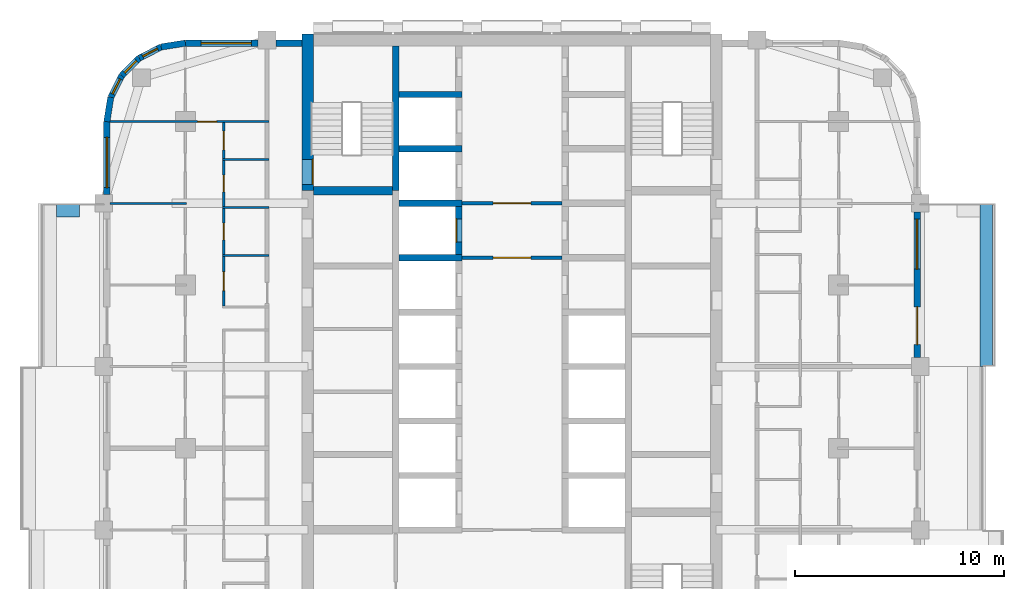
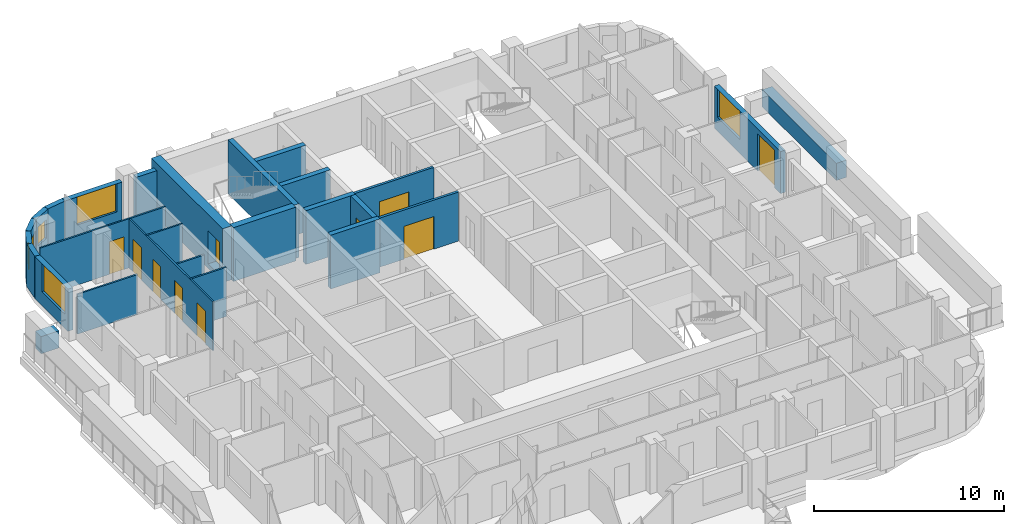
# One storey, part 8 of 14: 27 walls, 10 doors, 6 windows, 16 openings.
"""IFC4 building model written with IfcOpenShell, lengths in metres."""

from ifc_helpers import new_model, si_unit, direction, frame, frame_2d, origin, place, context, subcontext, project, spatial, rectangle, extrude, material, layer, layer_set, type_object, element, fill, save


model = new_model("IFC4")

# Units and contexts
model_context = context("Model", 3, precision=1e-05, world=origin(), true_north=direction((0.0, 1.0)))
body_context = subcontext(model_context, "Body", "Model", "MODEL_VIEW")
ifc_project = project(units=[si_unit("LENGTHUNIT", "METRE"), si_unit("AREAUNIT", "SQUARE_METRE"), si_unit("VOLUMEUNIT", "CUBIC_METRE"), si_unit("PLANEANGLEUNIT", "RADIAN"), si_unit("MASSUNIT", "GRAM", prefix="KILO")], contexts=[model_context])

# Site, building, storey
site_placement = place(None, origin())
site = spatial("IfcSite", under=ifc_project, at=site_placement, CompositionType="ELEMENT")
building_placement = place(site_placement, origin())
building = spatial("IfcBuilding", under=site, at=building_placement, Name="Ludao Terraces", CompositionType="ELEMENT")
storey_placement = place(building_placement, frame((0.0, 0.0, 99.89990234375)))
storey = spatial("IfcBuildingStorey", under=building, at=storey_placement, Name="L27", CompositionType="ELEMENT", Elevation=99.89990234375)

# Wall, opening, door
ifc_material_1 = material(Name="Concrete C60", Category="concrete")
ifc_layer_1 = layer(ifc_material_1, 0.550048828125)
ifc_layer_set_1 = layer_set([ifc_layer_1], Name="Core wall 550 C60")
wall_type_1 = type_object("IfcWallType", Name="Core wall 550 C60", PredefinedType="SOLIDWALL", material=ifc_layer_set_1)
wall_1_placement = place(storey_placement, frame((75.25, 77.300048828125, -0.2998046875), z_axis=(0.0, 0.0, 1.0), x_axis=(0.0, 1.0, 0.0)))
wall_1 = element("IfcWall", 1, at=wall_1_placement, inside=storey, type_object=wall_type_1, Name="Core wall L27 outer-W-S1", PredefinedType="SOLIDWALL", context=body_context, shape_type="SweptSolid", body=[
    extrude(rectangle(XDim=7.474853515625, YDim=0.550048828125, at=frame_2d((3.7373046875, 0.0))), origin(), (0.0, 0.0, 1.0), 3.449951171875),
])
opening_1_placement = place(wall_1_placement, frame((0.300048828125, 0.0, 0.300048828125)))
opening_1 = element("IfcOpeningElement", 2, at=opening_1_placement, cuts=wall_1, Name="Opening R08-088", PredefinedType="OPENING", context=body_context, shape_type="SweptSolid", body=[
    extrude(rectangle(XDim=1.199951171875, YDim=2.10009765625, at=frame_2d((0.60009765625, 1.050048828125))), frame((0.0, 0.28515625, 0.0), z_axis=(0.0, -1.0, 0.0), x_axis=(1.0, 0.0, 0.0)), (0.0, 0.0, 1.0), 0.570068359375),
])
ifc_material_2 = material(Name="Steel Q235", Category="steel")
door_type_1 = type_object("IfcDoorType", Name="INT Stair door 1200", OperationType="DOUBLE_DOOR_SINGLE_SWING", PredefinedType="DOOR", material=ifc_material_2)
door_1_placement = place(opening_1_placement, origin())
door_1 = element("IfcDoor", 3, at=door_1_placement, inside=storey, type_object=door_type_1, Name="DOOR 088", OperationType="DOUBLE_DOOR_SINGLE_SWING", OverallHeight=2.10009765625, OverallWidth=1.199951171875, PredefinedType="DOOR", context=body_context, shape_type="SweptSolid", body=[
    extrude(rectangle(XDim=1.199951171875, YDim=2.10009765625, at=frame_2d((0.60009765625, 1.050048828125))), frame((0.0, -0.2099609375, 0.0), z_axis=(0.0, -1.0, 0.0), x_axis=(1.0, 0.0, 0.0)), (0.0, 0.0, 1.0), 0.050048828125),
])
fill(opening_1, door_1)

# Walls
ifc_material_3 = material(Name="Concrete C40", Category="concrete")
ifc_layer_2 = layer(ifc_material_3, 0.60009765625)
ifc_layer_set_2 = layer_set([ifc_layer_2], Name="ENV Planter trough 600")
wall_type_2 = type_object("IfcWallType", Name="ENV Planter trough 600", PredefinedType="USERDEFINED", material=ifc_layer_set_2)
wall_2_placement = place(storey_placement, frame((107.64990234375, 68.89990234375, 0.0), z_axis=(0.0, 0.0, 1.0), x_axis=(0.0, 1.0, 0.0)))
element("IfcWall", 4, at=wall_2_placement, inside=storey, type_object=wall_type_2, Name="PL-L27-E3", ObjectType="PLANTER", PredefinedType="USERDEFINED", context=body_context, shape_type="SweptSolid", body=[
    extrude(rectangle(XDim=7.800048828125, YDim=0.60009765625, at=frame_2d((3.89990234375, 0.0))), origin(), (0.0, 0.0, 1.0), 1.10009765625),
])
wall_3_placement = place(storey_placement, frame((63.25, 76.35009765625, 0.0), z_axis=(0.0, 0.0, 1.0), x_axis=(1.0, 0.0, 0.0)))
element("IfcWall", 5, at=wall_3_placement, inside=storey, type_object=wall_type_2, Name="PL-L27-W3-SB", ObjectType="PLANTER", PredefinedType="USERDEFINED", context=body_context, shape_type="SweptSolid", body=[
    extrude(rectangle(XDim=1.10009765625, YDim=0.60009765625, at=frame_2d((0.550048828125, 0.0))), origin(), (0.0, 0.0, 1.0), 1.10009765625),
])

# Wall, openings, door, window
ifc_material_4 = material(Name="Granite cladding", Category="masonry")
ifc_layer_3 = layer(ifc_material_4, 0.0400390625, Category="stone")
ifc_material_5 = material(Name="Mineral wool")
ifc_layer_4 = layer(ifc_material_5, 0.06005859375)
ifc_layer_5 = layer(ifc_material_3, 0.199951171875, Category="concrete")
ifc_layer_set_3 = layer_set([ifc_layer_3, ifc_layer_4, ifc_layer_5], Name="ENV Stone-clad wall 300")
wall_type_3 = type_object("IfcWallType", Name="ENV Stone-clad wall 300", PredefinedType="SOLIDWALL", material=ifc_layer_set_3)
wall_4_placement = place(storey_placement, frame((104.35009765625, 69.324951171875, 0.0), z_axis=(0.0, 0.0, 1.0), x_axis=(0.0, 1.0, 0.0)))
wall_4 = element("IfcWall", 6, at=wall_4_placement, inside=storey, type_object=wall_type_3, Name="EW-L27-E4", PredefinedType="SOLIDWALL", context=body_context, shape_type="SweptSolid", body=[
    extrude(rectangle(XDim=6.949951171875, YDim=0.300048828125, at=frame_2d((3.47509765625, 0.0))), origin(), (0.0, 0.0, 1.0), 2.7001953125),
])
opening_2_placement = place(wall_4_placement, frame((0.625, 0.0, 0.0)))
opening_2 = element("IfcOpeningElement", 7, at=opening_2_placement, cuts=wall_4, Name="Opening BD", PredefinedType="OPENING", context=body_context, shape_type="SweptSolid", body=[
    extrude(rectangle(XDim=1.800048828125, YDim=2.39990234375, at=frame_2d((0.89990234375, 1.199951171875))), frame((0.0, 0.16015625, 0.0), z_axis=(0.0, -1.0, 0.0), x_axis=(1.0, 0.0, 0.0)), (0.0, 0.0, 1.0), 0.320068359375),
])
opening_3_placement = place(wall_4_placement, frame((4.22509765625, 0.0, 0.89990234375)))
opening_3 = element("IfcOpeningElement", 8, at=opening_3_placement, cuts=wall_4, Name="Opening W1", PredefinedType="OPENING", context=body_context, shape_type="SweptSolid", body=[
    extrude(rectangle(XDim=2.39990234375, YDim=1.800048828125, at=frame_2d((1.199951171875, 0.89990234375))), frame((0.0, 0.16015625, 0.0), z_axis=(0.0, -1.0, 0.0), x_axis=(1.0, 0.0, 0.0)), (0.0, 0.0, 1.0), 0.320068359375),
])
ifc_material_6 = material(Name="Aluminium glazed door", Category="aluminium")
ifc_layer_6 = layer(ifc_material_6, 0.06005859375)
ifc_layer_set_4 = layer_set([ifc_layer_6], Name="ENV Balcony door BD 1800x2400")
door_type_2 = type_object("IfcDoorType", Name="ENV Balcony door BD 1800x2400", OperationType="DOUBLE_DOOR_SINGLE_SWING", PredefinedType="DOOR", material=ifc_layer_set_4)
door_2_placement = place(opening_2_placement, origin())
door_2 = element("IfcDoor", 9, at=door_2_placement, inside=storey, type_object=door_type_2, Name="BD-L27-E4-1", OperationType="DOUBLE_DOOR_SINGLE_SWING", OverallHeight=2.39990234375, OverallWidth=1.800048828125, PredefinedType="DOOR", context=body_context, shape_type="SweptSolid", body=[
    extrude(rectangle(XDim=1.800048828125, YDim=2.39990234375, at=frame_2d((0.89990234375, 1.199951171875))), frame((0.0, 0.02490234375, 0.0), z_axis=(0.0, -1.0, 0.0), x_axis=(1.0, 0.0, 0.0)), (0.0, 0.0, 1.0), 0.050048828125),
])
fill(opening_2, door_2)
ifc_material_7 = material(Name="Clear glass in aluminium frame", Category="aluminium")
ifc_layer_7 = layer(ifc_material_7, 0.06005859375)
ifc_layer_set_5 = layer_set([ifc_layer_7], Name="ENV Window W1 2400x1800")
window_type_1 = type_object("IfcWindowType", Name="ENV Window W1 2400x1800", PartitioningType="DOUBLE_PANEL_VERTICAL", PredefinedType="WINDOW", material=ifc_layer_set_5)
window_1_placement = place(opening_3_placement, origin())
window_1 = element("IfcWindow", 10, at=window_1_placement, inside=storey, type_object=window_type_1, Name="W-L27-E4-2", OverallHeight=1.800048828125, OverallWidth=2.39990234375, PartitioningType="DOUBLE_PANEL_VERTICAL", PredefinedType="WINDOW", context=body_context, shape_type="SweptSolid", body=[
    extrude(rectangle(XDim=2.39990234375, YDim=1.800048828125, at=frame_2d((1.199951171875, 0.89990234375))), frame((0.0, 0.030029296875, 0.0), z_axis=(0.0, -1.0, 0.0), x_axis=(1.0, 0.0, 0.0)), (0.0, 0.0, 1.0), 0.06005859375),
])
fill(opening_3, window_1)

# Wall, opening, window
wall_5_placement = place(storey_placement, frame((69.39990234375, 84.35009765625, 0.0), z_axis=(0.0, 0.0, 1.0), x_axis=(1.0, 0.0, 0.0)))
wall_5 = element("IfcWall", 11, at=wall_5_placement, inside=storey, type_object=wall_type_3, Name="EW-L27-N1", PredefinedType="SOLIDWALL", context=body_context, shape_type="SweptSolid", body=[
    extrude(rectangle(XDim=3.47509765625, YDim=0.300048828125, at=frame_2d((1.737548828125, 0.0))), origin(), (0.0, 0.0, 1.0), 2.7001953125),
])
opening_4_placement = place(wall_5_placement, frame((0.75, 0.0, 0.89990234375)))
opening_4 = element("IfcOpeningElement", 12, at=opening_4_placement, cuts=wall_5, Name="Opening W1", PredefinedType="OPENING", context=body_context, shape_type="SweptSolid", body=[
    extrude(rectangle(XDim=2.39990234375, YDim=1.800048828125, at=frame_2d((1.199951171875, 0.89990234375))), frame((0.0, 0.16015625, 0.0), z_axis=(0.0, -1.0, 0.0), x_axis=(1.0, 0.0, 0.0)), (0.0, 0.0, 1.0), 0.320068359375),
])
window_2_placement = place(opening_4_placement, origin())
window_2 = element("IfcWindow", 13, at=window_2_placement, inside=storey, type_object=window_type_1, Name="W-L27-N1-1", OverallHeight=1.800048828125, OverallWidth=2.39990234375, PartitioningType="DOUBLE_PANEL_VERTICAL", PredefinedType="WINDOW", context=body_context, shape_type="SweptSolid", body=[
    extrude(rectangle(XDim=2.39990234375, YDim=1.800048828125, at=frame_2d((1.199951171875, 0.89990234375))), frame((0.0, 0.030029296875, 0.0), z_axis=(0.0, -1.0, 0.0), x_axis=(1.0, 0.0, 0.0)), (0.0, 0.0, 1.0), 0.06005859375),
])
fill(opening_4, window_2)

# Wall
wall_6_placement = place(storey_placement, frame((73.72509765625, 84.35009765625, 0.0), z_axis=(0.0, 0.0, 1.0), x_axis=(1.0, 0.0, 0.0)))
element("IfcWall", 14, at=wall_6_placement, inside=storey, type_object=wall_type_3, Name="EW-L27-N2", PredefinedType="SOLIDWALL", context=body_context, shape_type="SweptSolid", body=[
    extrude(rectangle(XDim=1.25, YDim=0.300048828125, at=frame_2d((0.625, 0.0))), origin(), (0.0, 0.0, 1.0), 2.7001953125),
])

# Wall, opening, window
wall_7_placement = place(storey_placement, frame((65.64990234375, 77.125, 0.0), z_axis=(0.0, 0.0, 1.0), x_axis=(0.0, 1.0, 0.0)))
wall_7 = element("IfcWall", 15, at=wall_7_placement, inside=storey, type_object=wall_type_3, Name="EW-L27-W5", PredefinedType="SOLIDWALL", context=body_context, shape_type="SweptSolid", body=[
    extrude(rectangle(XDim=3.47509765625, YDim=0.300048828125, at=frame_2d((1.737548828125, 0.0))), origin(), (0.0, 0.0, 1.0), 2.7001953125),
])
opening_5_placement = place(wall_7_placement, frame((0.324951171875, 0.0, 0.89990234375)))
opening_5 = element("IfcOpeningElement", 16, at=opening_5_placement, cuts=wall_7, Name="Opening W1", PredefinedType="OPENING", context=body_context, shape_type="SweptSolid", body=[
    extrude(rectangle(XDim=2.39990234375, YDim=1.800048828125, at=frame_2d((1.199951171875, 0.89990234375))), frame((0.0, 0.16015625, 0.0), z_axis=(0.0, -1.0, 0.0), x_axis=(1.0, 0.0, 0.0)), (0.0, 0.0, 1.0), 0.320068359375),
])
window_3_placement = place(opening_5_placement, origin())
window_3 = element("IfcWindow", 17, at=window_3_placement, inside=storey, type_object=window_type_1, Name="W-L27-W5-1", OverallHeight=1.800048828125, OverallWidth=2.39990234375, PartitioningType="DOUBLE_PANEL_VERTICAL", PredefinedType="WINDOW", context=body_context, shape_type="SweptSolid", body=[
    extrude(rectangle(XDim=2.39990234375, YDim=1.800048828125, at=frame_2d((1.199951171875, 0.89990234375))), frame((0.0, 0.030029296875, 0.0), z_axis=(0.0, -1.0, 0.0), x_axis=(1.0, 0.0, 0.0)), (0.0, 0.0, 1.0), 0.06005859375),
])
fill(opening_5, window_3)

# Wall
wall_8_placement = place(storey_placement, frame((69.39990234375, 84.35009765625, 0.0), z_axis=(0.0, 0.0, 1.0), x_axis=(-0.987678452879, -0.156496880861, 0.0)))
element("IfcWall", 18, at=wall_8_placement, inside=storey, type_object=wall_type_3, Name="EW-L27-NW1", PredefinedType="SOLIDWALL", context=body_context, shape_type="SweptSolid", body=[
    extrude(rectangle(XDim=1.173095703125, YDim=0.300048828125, at=frame_2d((0.58642578125, 0.0))), origin(), (0.0, 0.0, 1.0), 2.7001953125),
])

# Wall, opening, window
wall_9_placement = place(storey_placement, frame((68.2412109375, 84.16650390625, 0.0), z_axis=(0.0, 0.0, 1.0), x_axis=(-0.890988677504, -0.454025524128, 0.0)))
wall_9 = element("IfcWall", 19, at=wall_9_placement, inside=storey, type_object=wall_type_3, Name="EW-L27-NW2", PredefinedType="SOLIDWALL", context=body_context, shape_type="SweptSolid", body=[
    extrude(rectangle(XDim=1.17333984375, YDim=0.300048828125, at=frame_2d((0.586669921875, 0.0))), origin(), (0.0, 0.0, 1.0), 2.7001953125),
])
opening_6_placement = place(wall_9_placement, frame((0.1865234375, 0.0, 0.89990234375)))
opening_6 = element("IfcOpeningElement", 20, at=opening_6_placement, cuts=wall_9, Name="Opening W3", PredefinedType="OPENING", context=body_context, shape_type="SweptSolid", body=[
    extrude(rectangle(XDim=0.800048828125, YDim=1.199951171875, at=frame_2d((0.39990234375, 0.60009765625))), frame((0.0, 0.16015625, 0.0), z_axis=(0.0, -1.0, 0.0), x_axis=(1.0, 0.0, 0.0)), (0.0, 0.0, 1.0), 0.320068359375),
])
ifc_layer_8 = layer(ifc_material_7, 0.06005859375)
ifc_layer_set_6 = layer_set([ifc_layer_8], Name="ENV Window W3 800x1200")
window_type_2 = type_object("IfcWindowType", Name="ENV Window W3 800x1200", PartitioningType="SINGLE_PANEL", PredefinedType="WINDOW", material=ifc_layer_set_6)
window_4_placement = place(opening_6_placement, origin())
window_4 = element("IfcWindow", 21, at=window_4_placement, inside=storey, type_object=window_type_2, Name="W-L27-NW2", OverallHeight=1.199951171875, OverallWidth=0.800048828125, PartitioningType="SINGLE_PANEL", PredefinedType="WINDOW", context=body_context, shape_type="SweptSolid", body=[
    extrude(rectangle(XDim=0.800048828125, YDim=1.199951171875, at=frame_2d((0.39990234375, 0.60009765625))), frame((0.0, 0.030029296875, 0.0), z_axis=(0.0, -1.0, 0.0), x_axis=(1.0, 0.0, 0.0)), (0.0, 0.0, 1.0), 0.06005859375),
])
fill(opening_6, window_4)

wall_10_placement = place(storey_placement, frame((67.19580078125, 83.6337890625, 0.0), z_axis=(0.0, 0.0, 1.0), x_axis=(-0.707106781187, -0.707106781187, 0.0)))
wall_10 = element("IfcWall", 22, at=wall_10_placement, inside=storey, type_object=wall_type_3, Name="EW-L27-NW3", PredefinedType="SOLIDWALL", context=body_context, shape_type="SweptSolid", body=[
    extrude(rectangle(XDim=1.173095703125, YDim=0.300048828125, at=frame_2d((0.58642578125, 0.0))), origin(), (0.0, 0.0, 1.0), 2.7001953125),
])
opening_7_placement = place(wall_10_placement, frame((0.1865234375, 0.0, 0.89990234375)))
opening_7 = element("IfcOpeningElement", 23, at=opening_7_placement, cuts=wall_10, Name="Opening W3", PredefinedType="OPENING", context=body_context, shape_type="SweptSolid", body=[
    extrude(rectangle(XDim=0.800048828125, YDim=1.199951171875, at=frame_2d((0.39990234375, 0.60009765625))), frame((0.0, 0.16015625, 0.0), z_axis=(0.0, -1.0, 0.0), x_axis=(1.0, 0.0, 0.0)), (0.0, 0.0, 1.0), 0.320068359375),
])
window_5_placement = place(opening_7_placement, origin())
window_5 = element("IfcWindow", 24, at=window_5_placement, inside=storey, type_object=window_type_2, Name="W-L27-NW3", OverallHeight=1.199951171875, OverallWidth=0.800048828125, PartitioningType="SINGLE_PANEL", PredefinedType="WINDOW", context=body_context, shape_type="SweptSolid", body=[
    extrude(rectangle(XDim=0.800048828125, YDim=1.199951171875, at=frame_2d((0.39990234375, 0.60009765625))), frame((0.0, 0.030029296875, 0.0), z_axis=(0.0, -1.0, 0.0), x_axis=(1.0, 0.0, 0.0)), (0.0, 0.0, 1.0), 0.06005859375),
])
fill(opening_7, window_5)

wall_11_placement = place(storey_placement, frame((66.3662109375, 82.80419921875, 0.0), z_axis=(0.0, 0.0, 1.0), x_axis=(-0.454025524128, -0.890988677504, 0.0)))
wall_11 = element("IfcWall", 25, at=wall_11_placement, inside=storey, type_object=wall_type_3, Name="EW-L27-NW4", PredefinedType="SOLIDWALL", context=body_context, shape_type="SweptSolid", body=[
    extrude(rectangle(XDim=1.17333984375, YDim=0.300048828125, at=frame_2d((0.586669921875, 0.0))), origin(), (0.0, 0.0, 1.0), 2.7001953125),
])
opening_8_placement = place(wall_11_placement, frame((0.1865234375, 0.0, 0.89990234375)))
opening_8 = element("IfcOpeningElement", 26, at=opening_8_placement, cuts=wall_11, Name="Opening W3", PredefinedType="OPENING", context=body_context, shape_type="SweptSolid", body=[
    extrude(rectangle(XDim=0.800048828125, YDim=1.199951171875, at=frame_2d((0.39990234375, 0.60009765625))), frame((0.0, 0.16015625, 0.0), z_axis=(0.0, -1.0, 0.0), x_axis=(1.0, 0.0, 0.0)), (0.0, 0.0, 1.0), 0.320068359375),
])
window_6_placement = place(opening_8_placement, origin())
window_6 = element("IfcWindow", 27, at=window_6_placement, inside=storey, type_object=window_type_2, Name="W-L27-NW4", OverallHeight=1.199951171875, OverallWidth=0.800048828125, PartitioningType="SINGLE_PANEL", PredefinedType="WINDOW", context=body_context, shape_type="SweptSolid", body=[
    extrude(rectangle(XDim=0.800048828125, YDim=1.199951171875, at=frame_2d((0.39990234375, 0.60009765625))), frame((0.0, 0.030029296875, 0.0), z_axis=(0.0, -1.0, 0.0), x_axis=(1.0, 0.0, 0.0)), (0.0, 0.0, 1.0), 0.06005859375),
])
fill(opening_8, window_6)

# Wall
wall_12_placement = place(storey_placement, frame((65.83349609375, 81.7587890625, 0.0), z_axis=(0.0, 0.0, 1.0), x_axis=(-0.156496880861, -0.987678452879, 0.0)))
element("IfcWall", 28, at=wall_12_placement, inside=storey, type_object=wall_type_3, Name="EW-L27-NW5", PredefinedType="SOLIDWALL", context=body_context, shape_type="SweptSolid", body=[
    extrude(rectangle(XDim=1.173095703125, YDim=0.300048828125, at=frame_2d((0.58642578125, 0.0))), origin(), (0.0, 0.0, 1.0), 2.7001953125),
])

# Wall, opening, door
ifc_material_8 = material(Name="Fire-rated gypsum plasterboard", Category="gypsum")
ifc_layer_9 = layer(ifc_material_8, 0.012451171875, Category="gypsum")
ifc_layer_10 = layer(ifc_material_5, 0.10009765625, Name="insulation")
ifc_layer_11 = layer(ifc_material_2, 0.02490234375, Name="stud")
ifc_layer_12 = layer(ifc_material_8, 0.012451171875, Category="gypsum")
ifc_layer_set_7 = layer_set([ifc_layer_9, ifc_layer_10, ifc_layer_11, ifc_layer_12], Name="INT Core partition 150")
wall_type_4 = type_object("IfcWallType", Name="INT Core partition 150", PredefinedType="PARTITIONING", material=ifc_layer_set_7)
wall_13_placement = place(storey_placement, frame((82.60009765625, 74.10009765625, 0.0), z_axis=(0.0, 0.0, 1.0), x_axis=(1.0, 0.0, 0.0)))
wall_13 = element("IfcWall", 29, at=wall_13_placement, inside=storey, type_object=wall_type_4, Name="PW-L27-PW038", PredefinedType="PARTITIONING", context=body_context, shape_type="SweptSolid", body=[
    extrude(rectangle(XDim=4.800048828125, YDim=0.14990234375, at=frame_2d((2.39990234375, 0.0))), origin(), (0.0, 0.0, 1.0), 3.150146484375),
])
opening_9_placement = place(wall_13_placement, frame((1.5, 0.0, 0.0)))
opening_9 = element("IfcOpeningElement", 30, at=opening_9_placement, cuts=wall_13, Name="Opening R08-074", PredefinedType="OPENING", context=body_context, shape_type="SweptSolid", body=[
    extrude(rectangle(XDim=1.800048828125, YDim=2.10009765625, at=frame_2d((0.89990234375, 1.050048828125))), frame((0.0, 0.0849609375, 0.0), z_axis=(0.0, -1.0, 0.0), x_axis=(1.0, 0.0, 0.0)), (0.0, 0.0, 1.0), 0.169921875),
])
door_type_3 = type_object("IfcDoorType", Name="INT Fire lobby door 1800", OperationType="DOUBLE_DOOR_SINGLE_SWING", PredefinedType="DOOR", material=ifc_material_2)
door_3_placement = place(opening_9_placement, origin())
door_3 = element("IfcDoor", 31, at=door_3_placement, inside=storey, type_object=door_type_3, Name="DOOR 074", OperationType="DOUBLE_DOOR_SINGLE_SWING", OverallHeight=2.10009765625, OverallWidth=1.800048828125, PredefinedType="DOOR", context=body_context, shape_type="SweptSolid", body=[
    extrude(rectangle(XDim=1.800048828125, YDim=2.10009765625, at=frame_2d((0.89990234375, 1.050048828125))), frame((0.0, 0.02490234375, 0.0), z_axis=(0.0, -1.0, 0.0), x_axis=(1.0, 0.0, 0.0)), (0.0, 0.0, 1.0), 0.050048828125),
])
fill(opening_9, door_3)

wall_14_placement = place(storey_placement, frame((82.60009765625, 76.699951171875, 0.0), z_axis=(0.0, 0.0, 1.0), x_axis=(1.0, 0.0, 0.0)))
wall_14 = element("IfcWall", 32, at=wall_14_placement, inside=storey, type_object=wall_type_4, Name="PW-L27-PW044", PredefinedType="PARTITIONING", context=body_context, shape_type="SweptSolid", body=[
    extrude(rectangle(XDim=4.800048828125, YDim=0.14990234375, at=frame_2d((2.39990234375, 0.0))), origin(), (0.0, 0.0, 1.0), 3.150146484375),
])
opening_10_placement = place(wall_14_placement, frame((1.5, 0.0, 0.0)))
opening_10 = element("IfcOpeningElement", 33, at=opening_10_placement, cuts=wall_14, Name="Opening R08-084", PredefinedType="OPENING", context=body_context, shape_type="SweptSolid", body=[
    extrude(rectangle(XDim=1.800048828125, YDim=2.10009765625, at=frame_2d((0.89990234375, 1.050048828125))), frame((0.0, 0.0849609375, 0.0), z_axis=(0.0, -1.0, 0.0), x_axis=(1.0, 0.0, 0.0)), (0.0, 0.0, 1.0), 0.169921875),
])
door_4_placement = place(opening_10_placement, origin())
door_4 = element("IfcDoor", 34, at=door_4_placement, inside=storey, type_object=door_type_3, Name="DOOR 084", OperationType="DOUBLE_DOOR_SINGLE_SWING", OverallHeight=2.10009765625, OverallWidth=1.800048828125, PredefinedType="DOOR", context=body_context, shape_type="SweptSolid", body=[
    extrude(rectangle(XDim=1.800048828125, YDim=2.10009765625, at=frame_2d((0.89990234375, 1.050048828125))), frame((0.0, 0.02490234375, 0.0), z_axis=(0.0, -1.0, 0.0), x_axis=(1.0, 0.0, 0.0)), (0.0, 0.0, 1.0), 0.050048828125),
])
fill(opening_10, door_4)

# Walls
ifc_material_9 = material(Name="Gypsum plasterboard", Category="gypsum")
ifc_layer_13 = layer(ifc_material_9, 0.012451171875, Category="gypsum")
ifc_layer_14 = layer(ifc_material_5, 0.06005859375, Name="insulation")
ifc_layer_15 = layer(ifc_material_2, 0.014892578125, Name="stud")
ifc_layer_16 = layer(ifc_material_9, 0.012451171875, Category="gypsum")
ifc_layer_set_8 = layer_set([ifc_layer_13, ifc_layer_14, ifc_layer_15, ifc_layer_16], Name="INT Partition 100")
wall_type_5 = type_object("IfcWallType", Name="INT Partition 100", PredefinedType="PARTITIONING", material=ifc_layer_set_8)
wall_15_placement = place(storey_placement, frame((71.18017578125, 74.199951171875, 0.0), z_axis=(0.0, 0.0, 1.0), x_axis=(1.0, 0.0, 0.0)))
element("IfcWall", 35, at=wall_15_placement, inside=storey, type_object=wall_type_5, Name="PW-L27-PW039", PredefinedType="PARTITIONING", context=body_context, shape_type="SweptSolid", body=[
    extrude(rectangle(XDim=2.219970703125, YDim=0.10009765625, at=frame_2d((1.10986328125, 0.0))), origin(), (0.0, 0.0, 1.0), 3.150146484375),
])
wall_16_placement = place(storey_placement, frame((71.18017578125, 76.5, 0.0), z_axis=(0.0, 0.0, 1.0), x_axis=(1.0, 0.0, 0.0)))
element("IfcWall", 36, at=wall_16_placement, inside=storey, type_object=wall_type_5, Name="PW-L27-PW042", PredefinedType="PARTITIONING", context=body_context, shape_type="SweptSolid", body=[
    extrude(rectangle(XDim=2.219970703125, YDim=0.10009765625, at=frame_2d((1.10986328125, 0.0))), origin(), (0.0, 0.0, 1.0), 2.550048828125),
])
wall_17_placement = place(storey_placement, frame((65.800048828125, 76.699951171875, 0.0), z_axis=(0.0, 0.0, 1.0), x_axis=(1.0, 0.0, 0.0)))
element("IfcWall", 37, at=wall_17_placement, inside=storey, type_object=wall_type_5, Name="PW-L27-PW043", PredefinedType="PARTITIONING", context=body_context, shape_type="SweptSolid", body=[
    extrude(rectangle(XDim=3.650146484375, YDim=0.10009765625, at=frame_2d((1.8251953125, 0.0))), origin(), (0.0, 0.0, 1.0), 2.550048828125),
])
wall_18_placement = place(storey_placement, frame((71.18017578125, 78.800048828125, 0.0), z_axis=(0.0, 0.0, 1.0), x_axis=(1.0, 0.0, 0.0)))
element("IfcWall", 38, at=wall_18_placement, inside=storey, type_object=wall_type_5, Name="PW-L27-PW047", PredefinedType="PARTITIONING", context=body_context, shape_type="SweptSolid", body=[
    extrude(rectangle(XDim=2.219970703125, YDim=0.10009765625, at=frame_2d((1.10986328125, 0.0))), origin(), (0.0, 0.0, 1.0), 3.150146484375),
])

# Wall, opening, door
wall_19_placement = place(storey_placement, frame((65.800048828125, 80.60009765625, 0.0), z_axis=(0.0, 0.0, 1.0), x_axis=(1.0, 0.0, 0.0)))
wall_19 = element("IfcWall", 39, at=wall_19_placement, inside=storey, type_object=wall_type_5, Name="PW-L27-PW048", PredefinedType="PARTITIONING", context=body_context, shape_type="SweptSolid", body=[
    extrude(rectangle(XDim=7.60009765625, YDim=0.10009765625, at=frame_2d((3.800048828125, 0.0))), origin(), (0.0, 0.0, 1.0), 3.150146484375),
])
opening_11_placement = place(wall_19_placement, frame((4.18994140625, 0.0, 0.0)))
opening_11 = element("IfcOpeningElement", 40, at=opening_11_placement, cuts=wall_19, Name="Opening R08-094", PredefinedType="OPENING", context=body_context, shape_type="SweptSolid", body=[
    extrude(rectangle(XDim=0.89990234375, YDim=2.10009765625, at=frame_2d((0.449951171875, 1.050048828125))), frame((0.0, 0.06005859375, 0.0), z_axis=(0.0, -1.0, 0.0), x_axis=(1.0, 0.0, 0.0)), (0.0, 0.0, 1.0), 0.1201171875),
])
ifc_material_10 = material(Name="Timber door leaf", Category="wood")
door_type_4 = type_object("IfcDoorType", Name="INT Room door 900", OperationType="SINGLE_SWING_LEFT", PredefinedType="DOOR", material=ifc_material_10)
door_5_placement = place(opening_11_placement, origin())
door_5 = element("IfcDoor", 41, at=door_5_placement, inside=storey, type_object=door_type_4, Name="DOOR 094", OperationType="SINGLE_SWING_LEFT", OverallHeight=2.10009765625, OverallWidth=0.89990234375, PredefinedType="DOOR", context=body_context, shape_type="SweptSolid", body=[
    extrude(rectangle(XDim=0.89990234375, YDim=2.10009765625, at=frame_2d((0.449951171875, 1.050048828125))), frame((0.0, 0.02490234375, 0.0), z_axis=(0.0, -1.0, 0.0), x_axis=(1.0, 0.0, 0.0)), (0.0, 0.0, 1.0), 0.050048828125),
])
fill(opening_11, door_5)

# Wall, openings, doors
wall_20_placement = place(storey_placement, frame((71.22998046875, 71.800048828125, 0.0), z_axis=(0.0, 0.0, 1.0), x_axis=(0.0, 1.0, 0.0)))
wall_20 = element("IfcWall", 42, at=wall_20_placement, inside=storey, type_object=wall_type_5, Name="PW-L27-PW053", PredefinedType="PARTITIONING", context=body_context, shape_type="SweptSolid", body=[
    extrude(rectangle(XDim=8.75, YDim=0.10009765625, at=frame_2d((4.375, 0.0))), origin(), (0.0, 0.0, 1.0), 3.150146484375),
])
opening_12_placement = place(wall_20_placement, frame((0.72509765625, 0.0, 0.0)))
opening_12 = element("IfcOpeningElement", 43, at=opening_12_placement, cuts=wall_20, Name="Opening R08-072", PredefinedType="OPENING", context=body_context, shape_type="SweptSolid", body=[
    extrude(rectangle(XDim=0.89990234375, YDim=2.10009765625, at=frame_2d((0.449951171875, 1.050048828125))), frame((0.0, 0.06005859375, 0.0), z_axis=(0.0, -1.0, 0.0), x_axis=(1.0, 0.0, 0.0)), (0.0, 0.0, 1.0), 0.1201171875),
])
opening_13_placement = place(wall_20_placement, frame((3.14990234375, 0.0, 0.0)))
opening_13 = element("IfcOpeningElement", 44, at=opening_13_placement, cuts=wall_20, Name="Opening R08-077", PredefinedType="OPENING", context=body_context, shape_type="SweptSolid", body=[
    extrude(rectangle(XDim=0.800048828125, YDim=2.10009765625, at=frame_2d((0.39990234375, 1.050048828125))), frame((0.0, 0.06005859375, 0.0), z_axis=(0.0, -1.0, 0.0), x_axis=(1.0, 0.0, 0.0)), (0.0, 0.0, 1.0), 0.1201171875),
])
opening_14_placement = place(wall_20_placement, frame((5.449951171875, 0.0, 0.0)))
opening_14 = element("IfcOpeningElement", 45, at=opening_14_placement, cuts=wall_20, Name="Opening R08-085", PredefinedType="OPENING", context=body_context, shape_type="SweptSolid", body=[
    extrude(rectangle(XDim=0.800048828125, YDim=2.10009765625, at=frame_2d((0.39990234375, 1.050048828125))), frame((0.0, 0.06005859375, 0.0), z_axis=(0.0, -1.0, 0.0), x_axis=(1.0, 0.0, 0.0)), (0.0, 0.0, 1.0), 0.1201171875),
])
opening_15_placement = place(wall_20_placement, frame((7.449951171875, 0.0, 0.0)))
opening_15 = element("IfcOpeningElement", 46, at=opening_15_placement, cuts=wall_20, Name="Opening R08-093", PredefinedType="OPENING", context=body_context, shape_type="SweptSolid", body=[
    extrude(rectangle(XDim=0.89990234375, YDim=2.10009765625, at=frame_2d((0.449951171875, 1.050048828125))), frame((0.0, 0.06005859375, 0.0), z_axis=(0.0, -1.0, 0.0), x_axis=(1.0, 0.0, 0.0)), (0.0, 0.0, 1.0), 0.1201171875),
])
door_type_5 = type_object("IfcDoorType", Name="INT Bathroom door 900", OperationType="SINGLE_SWING_LEFT", PredefinedType="DOOR", material=ifc_material_10)
door_6_placement = place(opening_12_placement, origin())
door_6 = element("IfcDoor", 47, at=door_6_placement, inside=storey, type_object=door_type_5, Name="DOOR 072", OperationType="SINGLE_SWING_RIGHT", OverallHeight=2.10009765625, OverallWidth=0.89990234375, PredefinedType="DOOR", context=body_context, shape_type="SweptSolid", body=[
    extrude(rectangle(XDim=0.89990234375, YDim=2.10009765625, at=frame_2d((0.449951171875, 1.050048828125))), frame((0.0, 0.02490234375, 0.0), z_axis=(0.0, -1.0, 0.0), x_axis=(1.0, 0.0, 0.0)), (0.0, 0.0, 1.0), 0.050048828125),
])
fill(opening_12, door_6)
door_7_placement = place(opening_15_placement, origin())
door_7 = element("IfcDoor", 48, at=door_7_placement, inside=storey, type_object=door_type_5, Name="DOOR 093", OperationType="SINGLE_SWING_RIGHT", OverallHeight=2.10009765625, OverallWidth=0.89990234375, PredefinedType="DOOR", context=body_context, shape_type="SweptSolid", body=[
    extrude(rectangle(XDim=0.89990234375, YDim=2.10009765625, at=frame_2d((0.449951171875, 1.050048828125))), frame((0.0, 0.02490234375, 0.0), z_axis=(0.0, -1.0, 0.0), x_axis=(1.0, 0.0, 0.0)), (0.0, 0.0, 1.0), 0.050048828125),
])
fill(opening_15, door_7)
door_type_6 = type_object("IfcDoorType", Name="INT Store door 800", OperationType="SINGLE_SWING_LEFT", PredefinedType="DOOR", material=ifc_material_10)
door_8_placement = place(opening_13_placement, origin())
door_8 = element("IfcDoor", 49, at=door_8_placement, inside=storey, type_object=door_type_6, Name="DOOR 077", OperationType="SINGLE_SWING_RIGHT", OverallHeight=2.10009765625, OverallWidth=0.800048828125, PredefinedType="DOOR", context=body_context, shape_type="SweptSolid", body=[
    extrude(rectangle(XDim=0.800048828125, YDim=2.10009765625, at=frame_2d((0.39990234375, 1.050048828125))), frame((0.0, 0.02490234375, 0.0), z_axis=(0.0, -1.0, 0.0), x_axis=(1.0, 0.0, 0.0)), (0.0, 0.0, 1.0), 0.050048828125),
])
fill(opening_13, door_8)
door_9_placement = place(opening_14_placement, origin())
door_9 = element("IfcDoor", 50, at=door_9_placement, inside=storey, type_object=door_type_6, Name="DOOR 085", OperationType="SINGLE_SWING_LEFT", OverallHeight=2.10009765625, OverallWidth=0.800048828125, PredefinedType="DOOR", context=body_context, shape_type="SweptSolid", body=[
    extrude(rectangle(XDim=0.800048828125, YDim=2.10009765625, at=frame_2d((0.39990234375, 1.050048828125))), frame((0.0, 0.02490234375, 0.0), z_axis=(0.0, -1.0, 0.0), x_axis=(1.0, 0.0, 0.0)), (0.0, 0.0, 1.0), 0.050048828125),
])
fill(opening_14, door_9)

# Walls
ifc_material_11 = material(Name="Concrete C55", Category="concrete")
ifc_layer_17 = layer(ifc_material_11, 0.300048828125)
ifc_layer_set_9 = layer_set([ifc_layer_17], Name="Shaft wall 300 C55")
wall_type_6 = type_object("IfcWallType", Name="Shaft wall 300 C55", PredefinedType="SOLIDWALL", material=ifc_layer_set_9)
wall_21_placement = place(storey_placement, frame((79.449951171875, 77.300048828125, -0.2998046875), z_axis=(0.0, 0.0, 1.0), x_axis=(0.0, 1.0, 0.0)))
element("IfcWall", 51, at=wall_21_placement, inside=storey, type_object=wall_type_6, Name="Core wall L27 back-W-S1", PredefinedType="SOLIDWALL", context=body_context, shape_type="SweptSolid", body=[
    extrude(rectangle(XDim=6.925048828125, YDim=0.300048828125, at=frame_2d((3.46240234375, 0.0))), origin(), (0.0, 0.0, 1.0), 3.449951171875),
])
wall_22_placement = place(storey_placement, frame((79.60009765625, 74.10009765625, -0.2998046875), z_axis=(0.0, 0.0, 1.0), x_axis=(1.0, 0.0, 0.0)))
element("IfcWall", 52, at=wall_22_placement, inside=storey, type_object=wall_type_6, Name="Core wall L27 div-W6", PredefinedType="SOLIDWALL", context=body_context, shape_type="SweptSolid", body=[
    extrude(rectangle(XDim=3.0, YDim=0.300048828125, at=frame_2d((1.5, 0.0))), origin(), (0.0, 0.0, 1.0), 3.449951171875),
])

# Wall, opening, door
wall_23_placement = place(storey_placement, frame((82.449951171875, 74.25, -0.2998046875), z_axis=(0.0, 0.0, 1.0), x_axis=(0.0, 1.0, 0.0)))
wall_23 = element("IfcWall", 53, at=wall_23_placement, inside=storey, type_object=wall_type_6, Name="Core wall L27 front-W6", PredefinedType="SOLIDWALL", context=body_context, shape_type="SweptSolid", body=[
    extrude(rectangle(XDim=2.300048828125, YDim=0.300048828125, at=frame_2d((1.14990234375, 0.0))), origin(), (0.0, 0.0, 1.0), 3.449951171875),
])
opening_16_placement = place(wall_23_placement, frame((0.60009765625, 0.0, 0.300048828125)))
opening_16 = element("IfcOpeningElement", 54, at=opening_16_placement, cuts=wall_23, Name="Opening LD-LA6", PredefinedType="OPENING", context=body_context, shape_type="SweptSolid", body=[
    extrude(rectangle(XDim=1.10009765625, YDim=2.10009765625, at=frame_2d((0.550048828125, 1.050048828125))), frame((0.0, 0.16015625, 0.0), z_axis=(0.0, -1.0, 0.0), x_axis=(1.0, 0.0, 0.0)), (0.0, 0.0, 1.0), 0.320068359375),
])
ifc_material_12 = material(Name="Stainless steel 304", Category="steel")
door_type_7 = type_object("IfcDoorType", Name="INT Lift landing door 1100", OperationType="SLIDING_TO_LEFT", PredefinedType="DOOR", material=ifc_material_12)
door_10_placement = place(opening_16_placement, origin())
door_10 = element("IfcDoor", 55, at=door_10_placement, inside=storey, type_object=door_type_7, Name="LANDING DOOR LA6 L27", OperationType="SLIDING_TO_LEFT", OverallHeight=2.10009765625, OverallWidth=1.10009765625, PredefinedType="DOOR", context=body_context, shape_type="SweptSolid", body=[
    extrude(rectangle(XDim=1.10009765625, YDim=2.10009765625, at=frame_2d((0.550048828125, 1.050048828125))), frame((0.0, 0.13525390625, 0.0), z_axis=(0.0, -1.0, 0.0), x_axis=(1.0, 0.0, 0.0)), (0.0, 0.0, 1.0), 0.050048828125),
])
fill(opening_16, door_10)

# Walls
for number, where, z_axis, x_axis, name in (
    (56, (79.60009765625, 76.699951171875, -0.2998046875), (0.0, 0.0, 1.0), (1.0, 0.0, 0.0), "Core wall L27 div-W7"),
    (57, (79.60009765625, 79.300048828125, -0.2998046875), (0.0, 0.0, 1.0), (1.0, 0.0, 0.0), "Core wall L27 div-W8"),
    (58, (79.60009765625, 81.89990234375, -0.2998046875), (0.0, 0.0, 1.0), (1.0, 0.0, 0.0), "Core wall L27 div-W9"),
):
    element("IfcWall", number, at=place(storey_placement, frame(where, z_axis=z_axis, x_axis=x_axis)), inside=storey, type_object=wall_type_6, Name=name, PredefinedType="SOLIDWALL", context=body_context, shape_type="SweptSolid", body=[
        extrude(rectangle(XDim=3.0, YDim=0.300048828125, at=frame_2d((1.5, 0.0))), origin(), (0.0, 0.0, 1.0), 3.449951171875),
    ])
ifc_layer_18 = layer(ifc_material_11, 0.39990234375)
ifc_layer_set_10 = layer_set([ifc_layer_18], Name="Shaft wall 400 C55")
wall_type_7 = type_object("IfcWallType", Name="Shaft wall 400 C55", PredefinedType="SOLIDWALL", material=ifc_layer_set_10)
wall_24_placement = place(storey_placement, frame((75.52490234375, 77.300048828125, -0.2998046875), z_axis=(0.0, 0.0, 1.0), x_axis=(1.0, 0.0, 0.0)))
element("IfcWall", 59, at=wall_24_placement, inside=storey, type_object=wall_type_7, Name="Core wall L27 stair-W", PredefinedType="SOLIDWALL", context=body_context, shape_type="SweptSolid", body=[
    extrude(rectangle(XDim=3.775146484375, YDim=0.39990234375, at=frame_2d((1.8876953125, 0.0))), origin(), (0.0, 0.0, 1.0), 3.449951171875),
])

save(model, "model.ifc")
